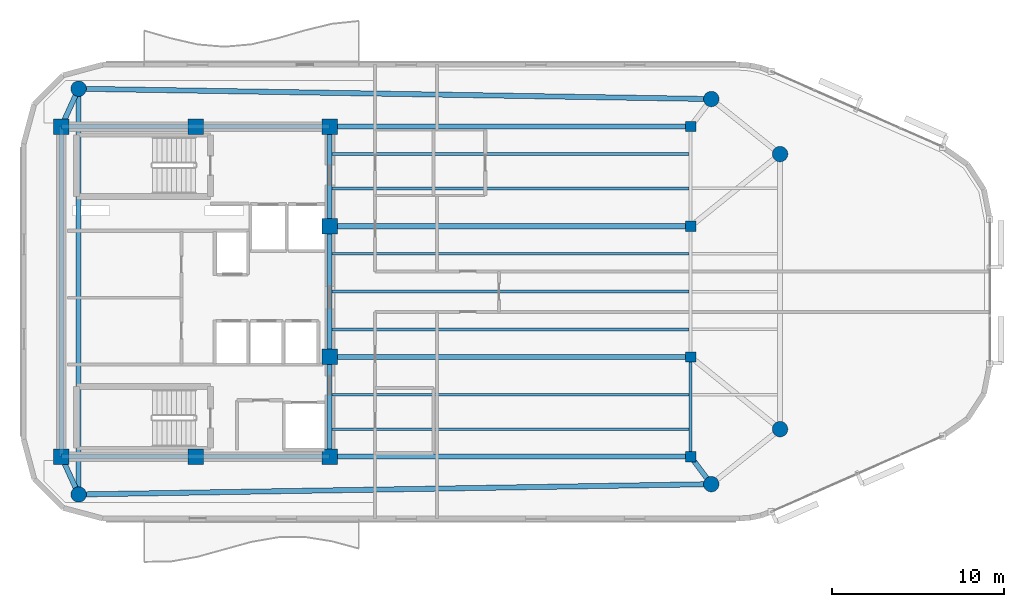
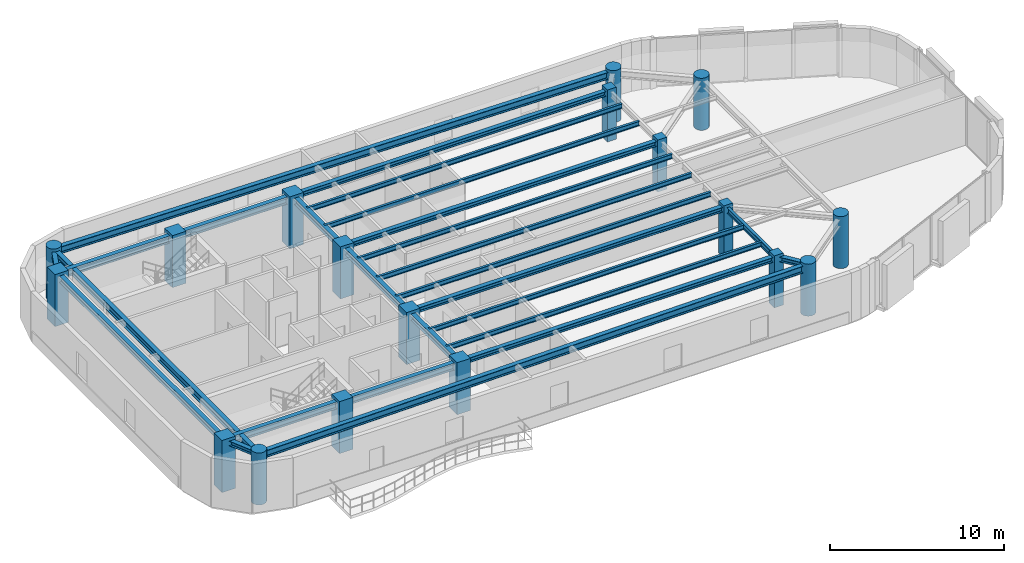
# One storey, part 1 of 12: 24 beams, 18 columns.
"""IFC4 building model written with IfcOpenShell, lengths in metres."""

import ifcopenshell
import ifcopenshell.guid

model = None  # the IFC model being written
_history = None  # IfcOwnerHistory: only IFC2X3 demands one
_inside = {}  # id of a spatial element -> (the spatial element, [elements in it])
_under = {}  # id of a project, library or spatial element -> (it, [spatial elements below it])
_declared = {}  # id of a project -> (the project, [libraries it declares])
_typed = {}  # id of a type object -> (the type object, [elements of that type])
_made_of = {}  # id of a material, layer set ... -> (it, [elements and type objects made of it])


def new_model(schema):
    """Start an empty IFC model of exactly this schema.

    Asked for "IFC4X3", IfcOpenShell would pick the latest addendum, in which some entities
    have other attributes; the version numbers below select the first issue.
    IFC2X3 requires an IfcOwnerHistory on every rooted entity: one is made here for all.
    """
    global model, _history
    if schema == "IFC4X3":
        model = ifcopenshell.file(schema_version=(4, 3, 0, 0))
    else:
        model = ifcopenshell.file(schema=schema)
    _inside.clear()
    _under.clear()
    _declared.clear()
    _typed.clear()
    _made_of.clear()
    _history = None
    if model.schema == "IFC2X3":
        org = make("IfcOrganization", Name="unknown")
        user = make(
            "IfcPersonAndOrganization",
            ThePerson=make("IfcPerson", FamilyName="unknown"),
            TheOrganization=org,
        )
        app = make(
            "IfcApplication",
            ApplicationDeveloper=org,
            Version="unknown",
            ApplicationFullName="unknown",
            ApplicationIdentifier="unknown",
        )
        _history = make(
            "IfcOwnerHistory",
            OwningUser=user,
            OwningApplication=app,
            ChangeAction="ADDED",
            CreationDate=0,
        )
    return model


def make(cls, **values):
    """One entity of the class cls with the attributes given. An attribute that is None is left unset."""
    return model.create_entity(
        cls, **{name: value for name, value in values.items() if value is not None}
    )


def rooted(cls, **values):
    """An entity with a GlobalId (a new one), such as an element, a storey or a relation."""
    return make(cls, GlobalId=ifcopenshell.guid.new(), OwnerHistory=_history, **values)


def si_unit(unit_type, name, prefix=None):
    """IfcSIUnit, for example si_unit("LENGTHUNIT", "METRE", prefix="MILLI")."""
    return make("IfcSIUnit", UnitType=unit_type, Prefix=prefix, Name=name)


def assignment(units):
    """IfcUnitAssignment: the units of a project."""
    return None if units is None else make("IfcUnitAssignment", Units=units)


def point(xyz):
    """IfcCartesianPoint."""
    return None if xyz is None else make("IfcCartesianPoint", Coordinates=xyz)


def direction(xyz):
    """IfcDirection."""
    return None if xyz is None else make("IfcDirection", DirectionRatios=xyz)


def frame(location, z_axis=None, x_axis=None):
    """IfcAxis2Placement3D, a coordinate frame: its origin and axes. An axis left out is left unset."""
    return make(
        "IfcAxis2Placement3D",
        Location=point(location),
        Axis=direction(z_axis),
        RefDirection=direction(x_axis),
    )


def frame_2d(location, x_axis=None):
    """IfcAxis2Placement2D, a coordinate frame in the plane: its origin and x axis."""
    return make(
        "IfcAxis2Placement2D", Location=point(location), RefDirection=direction(x_axis)
    )


def origin():
    """The frame at (0, 0, 0) with its axes left unset."""
    return frame((0.0, 0.0, 0.0))


def origin_2d():
    """The frame at (0, 0) in the plane with its x axis left unset."""
    return frame_2d((0.0, 0.0))


def place(relative_to, where):
    """IfcLocalPlacement: puts the frame where relative to a parent placement (None: the world)."""
    return make(
        "IfcLocalPlacement", PlacementRelTo=relative_to, RelativePlacement=where
    )


def context(
    kind, dimensions, precision=None, world=None, true_north=None, identifier=None
):
    """IfcGeometricRepresentationContext, for example the 3D "Model" context."""
    return make(
        "IfcGeometricRepresentationContext",
        ContextIdentifier=identifier,
        ContextType=kind,
        CoordinateSpaceDimension=dimensions,
        Precision=precision,
        WorldCoordinateSystem=world,
        TrueNorth=true_north,
    )


def subcontext(parent, identifier, kind, view, scale=None):
    """IfcGeometricRepresentationSubContext, for example "Body" below "Model"."""
    return make(
        "IfcGeometricRepresentationSubContext",
        ContextIdentifier=identifier,
        ContextType=kind,
        ParentContext=parent,
        TargetScale=scale,
        TargetView=view,
    )


def project(units=None, contexts=None):
    """IfcProject with its units and contexts."""
    return rooted(
        "IfcProject",
        Name="project",
        RepresentationContexts=contexts,
        UnitsInContext=assignment(units),
    )


def spatial(cls, under=None, at=None, **own):
    """A site, building, storey or space (cls), placed at a placement, below another one or the project."""
    s = rooted(cls, ObjectPlacement=at, **own)
    if under is not None:
        _under.setdefault(under.id(), (under, []))[1].append(s)
    return s


def profile(cls, at=None, kind="AREA", **sizes):
    """A parametric profile (cls). Its sizes go by their IFC names, for example OverallWidth=200.0."""
    return make(cls, ProfileType=kind, Position=at, **sizes)


def rectangle(**sizes):
    """IfcRectangleProfileDef."""
    return profile("IfcRectangleProfileDef", **sizes)


def circle(**sizes):
    """IfcCircleProfileDef."""
    return profile("IfcCircleProfileDef", **sizes)


def i_section(**sizes):
    """IfcIShapeProfileDef."""
    return profile("IfcIShapeProfileDef", **sizes)


def extrude(swept, where, along, depth):
    """IfcExtrudedAreaSolid: the profile swept, set in the frame where, extruded along a direction by depth."""
    return make(
        "IfcExtrudedAreaSolid",
        SweptArea=swept,
        Position=where,
        ExtrudedDirection=direction(along),
        Depth=depth,
    )


def shape(context_of_items, identifier, shape_type, items):
    """IfcShapeRepresentation: the items that make up one representation, for example the "Body"."""
    return make(
        "IfcShapeRepresentation",
        ContextOfItems=context_of_items,
        RepresentationIdentifier=identifier,
        RepresentationType=shape_type,
        Items=items,
    )


def material(Name=None, Category=None):
    """IfcMaterial."""
    return make("IfcMaterial", Name=Name, Category=Category)


def material_profile(
    of_material, cross_section, Name=None, Category=None, Priority=None
):
    """IfcMaterialProfile: a cross section and its material."""
    return make(
        "IfcMaterialProfile",
        Name=Name,
        Material=of_material,
        Profile=cross_section,
        Priority=Priority,
        Category=Category,
    )


def profile_set(profiles, Name=None, composite=None):
    """IfcMaterialProfileSet."""
    return make(
        "IfcMaterialProfileSet",
        Name=Name,
        MaterialProfiles=profiles,
        CompositeProfile=composite,
    )


def made_of(thing, what):
    """Note that an element or type object is made of a material, layer set ...; save() writes the relation."""
    if what is not None:
        _made_of.setdefault(what.id(), (what, []))[1].append(thing)
    return thing


def type_object(cls, material=None, **own):
    """A type object (cls), such as IfcWallType, which elements share."""
    return made_of(rooted(cls, **own), material)


def element(
    cls,
    number,
    at=None,
    inside=None,
    cuts=None,
    type_object=None,
    material=None,
    context=None,
    identifier="Body",
    shape_type=None,
    held_by="IfcProductDefinitionShape",
    body=None,
    shapes=None,
    **own,
):
    """One element of the class cls, such as IfcWall. Its Tag is "e" and its number.

    at: its placement. inside: the storey or other place that contains it. cuts: it is an
    opening in that element (IfcRelVoidsElement). A single representation is given by context,
    identifier, shape_type and body (its items); several are given by shapes. held_by: the class
    of the entity that holds the representations. save() writes the other relations.
    """
    e = rooted(cls, Tag="e%d" % number, ObjectPlacement=at, **own)
    if body is not None:
        shapes = [shape(context, identifier, shape_type, body)]
    if shapes is not None:
        e.Representation = make(held_by, Representations=shapes)
    if inside is not None:
        _inside.setdefault(inside.id(), (inside, []))[1].append(e)
    if cuts is not None:
        rooted(
            "IfcRelVoidsElement", RelatingBuildingElement=cuts, RelatedOpeningElement=e
        )
    if type_object is not None:
        _typed.setdefault(type_object.id(), (type_object, []))[1].append(e)
    return made_of(e, material)


def aggregate(whole, parts):
    """IfcRelAggregates: a whole, such as a stair, and the parts it consists of."""
    return rooted("IfcRelAggregates", RelatingObject=whole, RelatedObjects=parts)


def save(model, path):
    """Write the relations noted so far, then the file.

    IfcRelAggregates (storeys below a building ...), IfcRelContainedInSpatialStructure (elements
    in a storey), IfcRelDefinesByType, IfcRelAssociatesMaterial and IfcRelDeclares: one each for
    every whole, place, type object, material and project.
    """
    for whole, parts in _under.values():
        aggregate(whole, parts)
    for where, things in _inside.values():
        rooted(
            "IfcRelContainedInSpatialStructure",
            RelatedElements=things,
            RelatingStructure=where,
        )
    for kind, things in _typed.values():
        rooted("IfcRelDefinesByType", RelatedObjects=things, RelatingType=kind)
    for what, things in _made_of.values():
        rooted("IfcRelAssociatesMaterial", RelatedObjects=things, RelatingMaterial=what)
    for by, libraries in _declared.values():
        rooted("IfcRelDeclares", RelatingContext=by, RelatedDefinitions=libraries)
    model.write(path)


model = new_model("IFC4")

# Units and contexts
model_context = context("Model", 3, precision=1e-05, world=origin(), true_north=direction((0.0, 1.0)))
body_context = subcontext(model_context, "Body", "Model", "MODEL_VIEW")
ifc_project = project(units=[si_unit("LENGTHUNIT", "METRE"), si_unit("AREAUNIT", "SQUARE_METRE"), si_unit("VOLUMEUNIT", "CUBIC_METRE"), si_unit("PLANEANGLEUNIT", "RADIAN"), si_unit("MASSUNIT", "GRAM", prefix="KILO")], contexts=[model_context])

# Site, building, storey
site_placement = place(None, origin())
site = spatial("IfcSite", under=ifc_project, at=site_placement, CompositionType="ELEMENT")
building_placement = place(site_placement, origin())
building = spatial("IfcBuilding", under=site, at=building_placement, Name="An Khanh Terracotta Commons", CompositionType="ELEMENT")
storey_placement = place(building_placement, frame((0.0, 0.0, 273.39990234375)))
storey = spatial("IfcBuildingStorey", under=building, at=storey_placement, Name="L71", CompositionType="ELEMENT", Elevation=273.39990234375)

# Columns
ifc_material_1 = material(Name="Concrete C50/60", Category="concrete")
ifc_material_profile_1 = material_profile(ifc_material_1, circle(Radius=0.449951171875, at=origin_2d()), Name="CFST900")
ifc_profile_set_1 = profile_set([ifc_material_profile_1], Name="Concrete C50/60")
column_type_1 = type_object("IfcColumnType", Name="COL-CFST900", PredefinedType="COLUMN", material=ifc_profile_set_1)
for number, where, z_axis, x_axis, name in (
    (1, (22.60009765625, 12.199951171875, 0.0), (0.0, 0.0, 1.0), (1.0, 0.0, 0.0), "L71 Perimeter CFST Mega-Column MC-01"),
    (2, (59.39990234375, 12.800048828125, 0.0), (0.0, 0.0, 1.0), (1.0, 0.0, 0.0), "L71 Perimeter CFST Mega-Column MC-02"),
    (3, (63.39990234375, 16.0, 0.0), (0.0, 0.0, 1.0), (1.0, 0.0, 0.0), "L71 Perimeter CFST Mega-Column MC-03"),
    (4, (63.39990234375, 32.0, 0.0), (0.0, 0.0, 1.0), (1.0, 0.0, 0.0), "L71 Perimeter CFST Mega-Column MC-04"),
    (5, (59.39990234375, 35.199951171875, 0.0), (0.0, 0.0, 1.0), (1.0, 0.0, 0.0), "L71 Perimeter CFST Mega-Column MC-05"),
    (6, (22.60009765625, 35.800048828125, 0.0), (0.0, 0.0, 1.0), (1.0, 0.0, 0.0), "L71 Perimeter CFST Mega-Column MC-06"),
):
    element("IfcColumn", number, at=place(storey_placement, frame(where, z_axis=z_axis, x_axis=x_axis)), inside=storey, type_object=column_type_1, Name=name, PredefinedType="COLUMN", context=body_context, shape_type="SweptSolid", body=[
        extrude(circle(Radius=0.449951171875, at=origin_2d()), origin(), (0.0, 0.0, 1.0), 3.650146484375),
    ])
ifc_material_profile_2 = material_profile(ifc_material_1, rectangle(XDim=0.60009765625, YDim=0.60009765625, at=origin_2d()), Name="RC600x600")
ifc_profile_set_2 = profile_set([ifc_material_profile_2], Name="Concrete C50/60")
column_type_2 = type_object("IfcColumnType", Name="COL-RC600x600", PredefinedType="COLUMN", material=ifc_profile_set_2)
for number, where, z_axis, x_axis, name in (
    (7, (58.199951171875, 14.39990234375, 0.0), (0.0, 0.0, 1.0), (1.0, 0.0, 0.0), "L71 Interior Frame Column TC-01"),
    (8, (58.199951171875, 20.199951171875, 0.0), (0.0, 0.0, 1.0), (1.0, 0.0, 0.0), "L71 Interior Frame Column TC-02"),
    (9, (58.199951171875, 27.800048828125, 0.0), (0.0, 0.0, 1.0), (1.0, 0.0, 0.0), "L71 Interior Frame Column TC-03"),
    (10, (58.199951171875, 33.60009765625, 0.0), (0.0, 0.0, 1.0), (1.0, 0.0, 0.0), "L71 Interior Frame Column TC-04"),
):
    element("IfcColumn", number, at=place(storey_placement, frame(where, z_axis=z_axis, x_axis=x_axis)), inside=storey, type_object=column_type_2, Name=name, PredefinedType="COLUMN", context=body_context, shape_type="SweptSolid", body=[
        extrude(rectangle(XDim=0.60009765625, YDim=0.60009765625, at=origin_2d()), origin(), (0.0, 0.0, 1.0), 3.650146484375),
    ])
ifc_material_profile_3 = material_profile(ifc_material_1, rectangle(XDim=0.89990234375, YDim=0.89990234375, at=origin_2d()), Name="RC900x900")
ifc_profile_set_3 = profile_set([ifc_material_profile_3], Name="Concrete C50/60")
column_type_3 = type_object("IfcColumnType", Name="COL-RC900x900", PredefinedType="COLUMN", material=ifc_profile_set_3)
for number, where, z_axis, x_axis, name in (
    (11, (21.60009765625, 14.39990234375, 0.0), (0.0, 0.0, 1.0), (1.0, 0.0, 0.0), "L71 Core Boundary Column CC-01"),
    (12, (29.39990234375, 14.39990234375, 0.0), (0.0, 0.0, 1.0), (1.0, 0.0, 0.0), "L71 Core Boundary Column CC-02"),
    (13, (37.199951171875, 14.39990234375, 0.0), (0.0, 0.0, 1.0), (1.0, 0.0, 0.0), "L71 Core Boundary Column CC-03"),
    (14, (37.199951171875, 20.199951171875, 0.0), (0.0, 0.0, 1.0), (1.0, 0.0, 0.0), "L71 Core Boundary Column CC-04"),
    (15, (37.199951171875, 27.800048828125, 0.0), (0.0, 0.0, 1.0), (1.0, 0.0, 0.0), "L71 Core Boundary Column CC-05"),
    (16, (37.199951171875, 33.60009765625, 0.0), (0.0, 0.0, 1.0), (1.0, 0.0, 0.0), "L71 Core Boundary Column CC-06"),
    (17, (29.39990234375, 33.60009765625, 0.0), (0.0, 0.0, 1.0), (1.0, 0.0, 0.0), "L71 Core Boundary Column CC-07"),
    (18, (21.60009765625, 33.60009765625, 0.0), (0.0, 0.0, 1.0), (1.0, 0.0, 0.0), "L71 Core Boundary Column CC-08"),
):
    element("IfcColumn", number, at=place(storey_placement, frame(where, z_axis=z_axis, x_axis=x_axis)), inside=storey, type_object=column_type_3, Name=name, PredefinedType="COLUMN", context=body_context, shape_type="SweptSolid", body=[
        extrude(rectangle(XDim=0.89990234375, YDim=0.89990234375, at=origin_2d()), origin(), (0.0, 0.0, 1.0), 3.650146484375),
    ])

# Beams
ifc_material_2 = material(Name="Steel S355J2", Category="steel")
ifc_material_profile_4 = material_profile(ifc_material_2, i_section(OverallWidth=0.300048828125, OverallDepth=0.340087890625, WebThickness=0.011962890625, FlangeThickness=0.021484375, FilletRadius=0.027099609375, at=origin_2d()), Name="HEB340")
ifc_profile_set_4 = profile_set([ifc_material_profile_4], Name="Steel S355J2")
beam_type_1 = type_object("IfcBeamType", Name="BM-HEB340", PredefinedType="BEAM", material=ifc_profile_set_4)
for number, where, z_axis, x_axis, name in (
    (19, (37.199951171875, 14.39990234375, 3.280029296875), (1.0, 0.0, 0.0), (0.0, 1.0, 0.0), "L71 East Primary Floor Girder 1"),
    (20, (37.199951171875, 20.199951171875, 3.280029296875), (1.0, 0.0, 0.0), (0.0, 1.0, 0.0), "L71 East Primary Floor Girder 2"),
    (21, (37.199951171875, 27.800048828125, 3.280029296875), (1.0, 0.0, 0.0), (0.0, 1.0, 0.0), "L71 East Primary Floor Girder 3"),
    (22, (37.199951171875, 33.60009765625, 3.280029296875), (1.0, 0.0, 0.0), (0.0, 1.0, 0.0), "L71 East Primary Floor Girder 4"),
):
    element("IfcBeam", number, at=place(storey_placement, frame(where, z_axis=z_axis, x_axis=x_axis)), inside=storey, type_object=beam_type_1, Name=name, PredefinedType="BEAM", context=body_context, shape_type="SweptSolid", body=[
        extrude(i_section(OverallWidth=0.300048828125, OverallDepth=0.340087890625, WebThickness=0.011962890625, FlangeThickness=0.021484375, FilletRadius=0.027099609375, at=origin_2d()), origin(), (0.0, 0.0, 1.0), 21.0),
    ])
beam_1_placement = place(storey_placement, frame((22.60009765625, 12.199951171875, 3.280029296875), z_axis=(-0.413810555983, 0.910363017569, 0.0), x_axis=(-0.910363017569, -0.413810555983, 0.0)))
element("IfcBeam", 23, at=beam_1_placement, inside=storey, type_object=beam_type_1, Name="L71 Mega-Column Tie Girder 1", PredefinedType="BEAM", context=body_context, shape_type="SweptSolid", body=[
    extrude(i_section(OverallWidth=0.300048828125, OverallDepth=0.340087890625, WebThickness=0.011962890625, FlangeThickness=0.021484375, FilletRadius=0.027099609375, at=origin_2d()), origin(), (0.0, 0.0, 1.0), 2.41650390625),
])
beam_2_placement = place(storey_placement, frame((59.39990234375, 12.800048828125, 3.280029296875), z_axis=(-0.600019532502, 0.799985350251, 0.0), x_axis=(-0.799985350251, -0.600019532502, 0.0)))
element("IfcBeam", 24, at=beam_2_placement, inside=storey, type_object=beam_type_1, Name="L71 Mega-Column Tie Girder 2", PredefinedType="BEAM", context=body_context, shape_type="SweptSolid", body=[
    extrude(i_section(OverallWidth=0.300048828125, OverallDepth=0.340087890625, WebThickness=0.011962890625, FlangeThickness=0.021484375, FilletRadius=0.027099609375, at=origin_2d()), origin(), (0.0, 0.0, 1.0), 1.999755859375),
])
beam_3_placement = place(storey_placement, frame((22.60009765625, 35.800048828125, 3.280029296875), z_axis=(-0.413810555983, -0.910363017569, 0.0), x_axis=(0.910363017569, -0.413810555983, 0.0)))
element("IfcBeam", 25, at=beam_3_placement, inside=storey, type_object=beam_type_1, Name="L71 Mega-Column Tie Girder 6", PredefinedType="BEAM", context=body_context, shape_type="SweptSolid", body=[
    extrude(i_section(OverallWidth=0.300048828125, OverallDepth=0.340087890625, WebThickness=0.011962890625, FlangeThickness=0.021484375, FilletRadius=0.027099609375, at=origin_2d()), origin(), (0.0, 0.0, 1.0), 2.41650390625),
])
ifc_material_profile_5 = material_profile(ifc_material_2, i_section(OverallWidth=0.300048828125, OverallDepth=0.449951171875, WebThickness=0.013916015625, FlangeThickness=0.02587890625, FilletRadius=0.027099609375, at=origin_2d()), Name="HEB450")
ifc_profile_set_5 = profile_set([ifc_material_profile_5], Name="Steel S355J2")
beam_type_2 = type_object("IfcBeamType", Name="BM-HEB450", PredefinedType="BEAM", material=ifc_profile_set_5)
beam_4_placement = place(storey_placement, frame((37.199951171875, 14.39990234375, 3.22509765625), z_axis=(0.0, 1.0, 0.0), x_axis=(-1.0, 0.0, 0.0)))
element("IfcBeam", 26, at=beam_4_placement, inside=storey, type_object=beam_type_2, Name="L71 Core East Coupling Girder 1", PredefinedType="BEAM", context=body_context, shape_type="SweptSolid", body=[
    extrude(i_section(OverallWidth=0.300048828125, OverallDepth=0.449951171875, WebThickness=0.013916015625, FlangeThickness=0.02587890625, FilletRadius=0.027099609375, at=origin_2d()), origin(), (0.0, 0.0, 1.0), 5.800048828125),
])
beam_5_placement = place(storey_placement, frame((37.199951171875, 20.199951171875, 3.22509765625), z_axis=(0.0, 1.0, 0.0), x_axis=(-1.0, 0.0, 0.0)))
element("IfcBeam", 27, at=beam_5_placement, inside=storey, type_object=beam_type_2, Name="L71 Core East Coupling Girder 2", PredefinedType="BEAM", context=body_context, shape_type="SweptSolid", body=[
    extrude(i_section(OverallWidth=0.300048828125, OverallDepth=0.449951171875, WebThickness=0.013916015625, FlangeThickness=0.02587890625, FilletRadius=0.027099609375, at=origin_2d()), origin(), (0.0, 0.0, 1.0), 7.60009765625),
])
beam_6_placement = place(storey_placement, frame((37.199951171875, 27.800048828125, 3.22509765625), z_axis=(0.0, 1.0, 0.0), x_axis=(-1.0, 0.0, 0.0)))
element("IfcBeam", 28, at=beam_6_placement, inside=storey, type_object=beam_type_2, Name="L71 Core East Coupling Girder 3", PredefinedType="BEAM", context=body_context, shape_type="SweptSolid", body=[
    extrude(i_section(OverallWidth=0.300048828125, OverallDepth=0.449951171875, WebThickness=0.013916015625, FlangeThickness=0.02587890625, FilletRadius=0.027099609375, at=origin_2d()), origin(), (0.0, 0.0, 1.0), 5.800048828125),
])
beam_7_placement = place(storey_placement, frame((21.60009765625, 14.39990234375, 3.22509765625), z_axis=(0.0, 1.0, 0.0), x_axis=(-1.0, 0.0, 0.0)))
element("IfcBeam", 29, at=beam_7_placement, inside=storey, type_object=beam_type_2, Name="L71 Core West Coupling Girder", PredefinedType="BEAM", context=body_context, shape_type="SweptSolid", body=[
    extrude(i_section(OverallWidth=0.300048828125, OverallDepth=0.449951171875, WebThickness=0.013916015625, FlangeThickness=0.02587890625, FilletRadius=0.027099609375, at=origin_2d()), origin(), (0.0, 0.0, 1.0), 19.2001953125),
])
ifc_material_profile_6 = material_profile(ifc_material_2, i_section(OverallWidth=0.300048828125, OverallDepth=0.5, WebThickness=0.014404296875, FlangeThickness=0.028076171875, FilletRadius=0.027099609375, at=origin_2d()), Name="HEB500")
ifc_profile_set_6 = profile_set([ifc_material_profile_6], Name="Steel S355J2")
beam_type_3 = type_object("IfcBeamType", Name="BM-HEB500", PredefinedType="BEAM", material=ifc_profile_set_6)
for number, where, z_axis, x_axis, name in (
    (30, (21.60009765625, 14.39990234375, 3.2001953125), (1.0, 0.0, 0.0), (0.0, 1.0, 0.0), "L71 Core South Coupling Girder"),
    (31, (21.60009765625, 33.60009765625, 3.2001953125), (1.0, 0.0, 0.0), (0.0, 1.0, 0.0), "L71 Core North Coupling Girder"),
):
    element("IfcBeam", number, at=place(storey_placement, frame(where, z_axis=z_axis, x_axis=x_axis)), inside=storey, type_object=beam_type_3, Name=name, PredefinedType="BEAM", context=body_context, shape_type="SweptSolid", body=[
        extrude(i_section(OverallWidth=0.300048828125, OverallDepth=0.5, WebThickness=0.014404296875, FlangeThickness=0.028076171875, FilletRadius=0.027099609375, at=origin_2d()), origin(), (0.0, 0.0, 1.0), 15.599853515625),
    ])
for number, where, z_axis, x_axis, name in (
    (32, (22.60009765625, 12.199951171875, 3.2001953125), (0.999867065951, 0.01630492031, 0.0), (-0.01630492031, 0.999867065951, 0.0), "L71 Perimeter Ring Spandrel 1"),
    (33, (59.39990234375, 35.199951171875, 3.2001953125), (-0.999867065951, 0.01630492031, 0.0), (-0.01630492031, -0.999867065951, 0.0), "L71 Perimeter Ring Spandrel 5"),
):
    element("IfcBeam", number, at=place(storey_placement, frame(where, z_axis=z_axis, x_axis=x_axis)), inside=storey, type_object=beam_type_3, Name=name, PredefinedType="BEAM", context=body_context, shape_type="SweptSolid", body=[
        extrude(i_section(OverallWidth=0.300048828125, OverallDepth=0.5, WebThickness=0.014404296875, FlangeThickness=0.028076171875, FilletRadius=0.027099609375, at=origin_2d()), origin(), (0.0, 0.0, 1.0), 36.8046875),
    ])
beam_8_placement = place(storey_placement, frame((22.60009765625, 35.800048828125, 3.2001953125), z_axis=(0.0, -1.0, 0.0), x_axis=(1.0, 0.0, 0.0)))
element("IfcBeam", 34, at=beam_8_placement, inside=storey, type_object=beam_type_3, Name="L71 Perimeter Ring Spandrel 6", PredefinedType="BEAM", context=body_context, shape_type="SweptSolid", body=[
    extrude(i_section(OverallWidth=0.300048828125, OverallDepth=0.5, WebThickness=0.014404296875, FlangeThickness=0.028076171875, FilletRadius=0.027099609375, at=origin_2d()), origin(), (0.0, 0.0, 1.0), 23.60009765625),
])
ifc_material_profile_7 = material_profile(ifc_material_2, i_section(OverallWidth=0.159912109375, OverallDepth=0.330078125, WebThickness=0.007568359375, FlangeThickness=0.011474609375, FilletRadius=0.01806640625, at=origin_2d()), Name="IPE330")
ifc_profile_set_7 = profile_set([ifc_material_profile_7], Name="Steel S355J2")
beam_type_4 = type_object("IfcBeamType", Name="BM-IPE330", PredefinedType="JOIST", material=ifc_profile_set_7)
for number, where, z_axis, x_axis, name in (
    (35, (37.199951171875, 16.0, 3.28515625), (1.0, 0.0, 0.0), (0.0, 1.0, 0.0), "L71 Inboard Composite Joist 1"),
    (36, (37.199951171875, 18.0, 3.28515625), (1.0, 0.0, 0.0), (0.0, 1.0, 0.0), "L71 Inboard Composite Joist 2"),
    (37, (37.199951171875, 21.800048828125, 3.28515625), (1.0, 0.0, 0.0), (0.0, 1.0, 0.0), "L71 Inboard Composite Joist 3"),
    (38, (37.199951171875, 24.0, 3.28515625), (1.0, 0.0, 0.0), (0.0, 1.0, 0.0), "L71 Inboard Composite Joist 4"),
    (39, (37.199951171875, 26.199951171875, 3.28515625), (1.0, 0.0, 0.0), (0.0, 1.0, 0.0), "L71 Inboard Composite Joist 5"),
    (40, (37.199951171875, 30.0, 3.28515625), (1.0, 0.0, 0.0), (0.0, 1.0, 0.0), "L71 Inboard Composite Joist 6"),
    (41, (37.199951171875, 32.0, 3.28515625), (1.0, 0.0, 0.0), (0.0, 1.0, 0.0), "L71 Inboard Composite Joist 7"),
):
    element("IfcBeam", number, at=place(storey_placement, frame(where, z_axis=z_axis, x_axis=x_axis)), inside=storey, type_object=beam_type_4, Name=name, PredefinedType="JOIST", context=body_context, shape_type="SweptSolid", body=[
        extrude(i_section(OverallWidth=0.159912109375, OverallDepth=0.330078125, WebThickness=0.007568359375, FlangeThickness=0.011474609375, FilletRadius=0.01806640625, at=origin_2d()), origin(), (0.0, 0.0, 1.0), 20.91015625),
    ])
ifc_material_profile_8 = material_profile(ifc_material_2, i_section(OverallWidth=0.179931640625, OverallDepth=0.39990234375, WebThickness=0.008544921875, FlangeThickness=0.013427734375, FilletRadius=0.02099609375, at=origin_2d()), Name="IPE400")
ifc_profile_set_8 = profile_set([ifc_material_profile_8], Name="Steel S355J2")
beam_type_5 = type_object("IfcBeamType", Name="BM-IPE400", PredefinedType="JOIST", material=ifc_profile_set_8)
beam_9_placement = place(storey_placement, frame((58.199951171875, 14.550048828125, 3.25), z_axis=(0.0, 1.0, 0.0), x_axis=(-1.0, 0.0, 0.0)))
element("IfcBeam", 42, at=beam_9_placement, inside=storey, type_object=beam_type_5, Name="L71 East Spine Girder 1", PredefinedType="JOIST", context=body_context, shape_type="SweptSolid", body=[
    extrude(i_section(OverallWidth=0.179931640625, OverallDepth=0.39990234375, WebThickness=0.008544921875, FlangeThickness=0.013427734375, FilletRadius=0.02099609375, at=origin_2d()), origin(), (0.0, 0.0, 1.0), 5.5),
])

save(model, "model.ifc")
